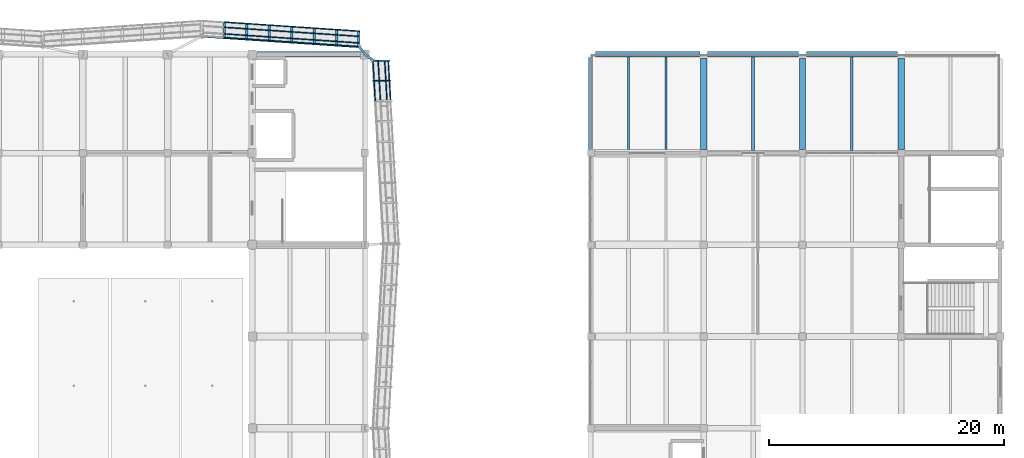
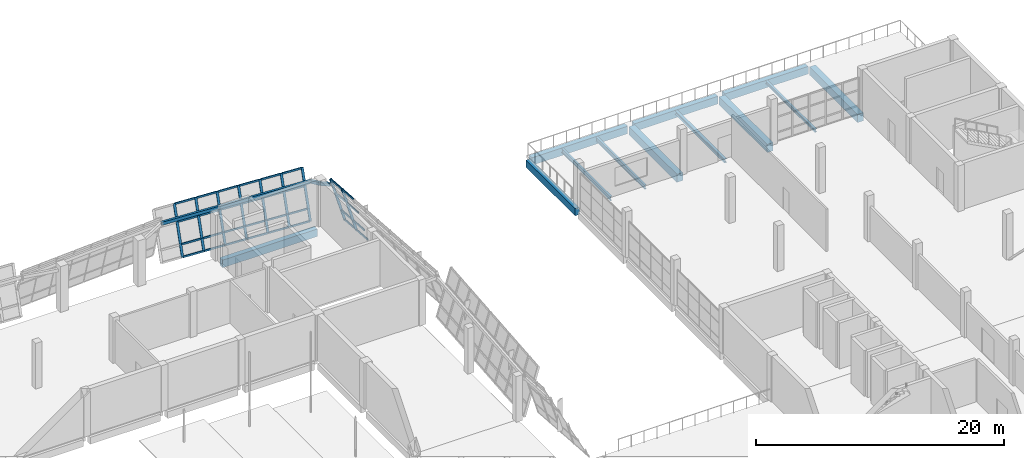
# One storey, part 36 of 71: 41 members, 15 beams, 2 elements without a shape of their own.
"""IFC4 building model written with IfcOpenShell, lengths in metres."""

from ifc_helpers import new_model, si_unit, direction, frame, origin, origin_2d, place, context, subcontext, project, spatial, rectangle, hollow_rectangle, i_section, extrude, material, material_profile, profile_set, type_object, element, aggregate, save


model = new_model("IFC4")

# Units and contexts
model_context = context("Model", 3, precision=1e-05, world=origin(), true_north=direction((0.0, 1.0)))
body_context = subcontext(model_context, "Body", "Model", "MODEL_VIEW")
ifc_project = project(units=[si_unit("LENGTHUNIT", "METRE"), si_unit("AREAUNIT", "SQUARE_METRE"), si_unit("VOLUMEUNIT", "CUBIC_METRE"), si_unit("PLANEANGLEUNIT", "RADIAN"), si_unit("MASSUNIT", "GRAM", prefix="KILO")], contexts=[model_context])

# Site, building, storey
site_placement = place(None, origin())
site = spatial("IfcSite", under=ifc_project, at=site_placement, CompositionType="ELEMENT")
building_placement = place(site_placement, origin())
building = spatial("IfcBuilding", under=site, at=building_placement, Name="Pellamere Symphony Hall", CompositionType="ELEMENT")
storey_placement = place(building_placement, frame((0.0, 0.0, 15.0)))
storey = spatial("IfcBuildingStorey", under=building, at=storey_placement, Name="L03", CompositionType="ELEMENT", Elevation=15.0)

# Curtain wall, members
ifc_material_1 = material(Name="Thermally Broken Anodised Aluminium 6063-T6 Curtain Wall", Category="aluminium")
curtain_wall_type = type_object("IfcCurtainWallType", Name="Curtain Wall CW-01 (Tilted Faceted Crystal Low-Iron Curtain Wall)", PredefinedType="NOTDEFINED", material=ifc_material_1)
curtain_wall_1_placement = place(storey_placement, origin())
curtain_wall_1 = element("IfcCurtainWall", 1, at=curtain_wall_1_placement, inside=storey, type_object=curtain_wall_type, Name="Crystal Faceted Curtain Wall CW-CR09 (L03)", PredefinedType="NOTDEFINED")
ifc_material_2 = material(Name="Anodised Architectural Aluminium 6063-T6", Category="aluminium")
ifc_material_profile_1 = material_profile(ifc_material_2, hollow_rectangle(XDim=0.074951171875, YDim=0.219970703125, WallThickness=0.0048828125, at=origin_2d()), Name="ALU-M75X220X5")
ifc_profile_set_1 = profile_set([ifc_material_profile_1], Name="Anodised Architectural Aluminium 6063-T6")
member_type_1 = type_object("IfcMemberType", Name="Curtain Wall Mullion ML-01 ALU-M75X220X5", PredefinedType="MULLION", material=ifc_profile_set_1)
member_1_placement = place(storey_placement, frame((120.883056640625, 91.36669921875, 0.0), z_axis=(-0.284024567884, 0.0, 0.95881700279), x_axis=(-0.055224537145, 0.998339941676, -0.01635883099)))
member_1 = element("IfcMember", 2, at=member_1_placement, type_object=member_type_1, Name="CW1-020 crystal mullion 9", PredefinedType="MULLION", context=body_context, shape_type="SweptSolid", body=[
    extrude(hollow_rectangle(XDim=0.074951171875, YDim=0.219970703125, WallThickness=0.0048828125, at=origin_2d()), origin(), (0.0, 0.0, 1.0), 4.693359375),
])
member_2_placement = place(storey_placement, frame((120.78515625, 93.0625, 0.0), z_axis=(-0.284024567884, 0.0, 0.95881700279), x_axis=(-0.055224537145, 0.998339941676, -0.01635883099)))
member_2 = element("IfcMember", 3, at=member_2_placement, type_object=member_type_1, Name="CW1-020 crystal mullion 10", PredefinedType="MULLION", context=body_context, shape_type="SweptSolid", body=[
    extrude(hollow_rectangle(XDim=0.074951171875, YDim=0.219970703125, WallThickness=0.0048828125, at=origin_2d()), origin(), (0.0, 0.0, 1.0), 4.693359375),
])

curtain_wall_2_placement = place(storey_placement, origin())
curtain_wall_2 = element("IfcCurtainWall", 4, at=curtain_wall_2_placement, inside=storey, type_object=curtain_wall_type, Name="Crystal Faceted Curtain Wall CW-CR10 (L03)", PredefinedType="NOTDEFINED")
member_3_placement = place(storey_placement, frame((118.2626953125, 94.25244140625, 0.0), z_axis=(0.0, 0.284024567884, 0.95881700279), x_axis=(0.067013200006, 0.956661667464, -0.283386105922)))
member_3 = element("IfcMember", 5, at=member_3_placement, type_object=member_type_1, Name="CW1-023 crystal mullion 1", PredefinedType="MULLION", context=body_context, shape_type="SweptSolid", body=[
    extrude(hollow_rectangle(XDim=0.074951171875, YDim=0.219970703125, WallThickness=0.0048828125, at=origin_2d()), origin(), (0.0, 0.0, 1.0), 4.693359375),
])
member_4_placement = place(storey_placement, frame((116.3857421875, 94.378662109375, 0.0), z_axis=(0.0, 0.284024567884, 0.95881700279), x_axis=(0.067013200006, 0.956661667464, -0.283386105922)))
member_4 = element("IfcMember", 6, at=member_4_placement, type_object=member_type_1, Name="CW1-023 crystal mullion 2", PredefinedType="MULLION", context=body_context, shape_type="SweptSolid", body=[
    extrude(hollow_rectangle(XDim=0.074951171875, YDim=0.219970703125, WallThickness=0.0048828125, at=origin_2d()), origin(), (0.0, 0.0, 1.0), 4.693359375),
])
member_5_placement = place(storey_placement, frame((114.471435546875, 94.507080078125, 0.0), z_axis=(0.0, 0.284024567884, 0.95881700279), x_axis=(0.067013200006, 0.956661667464, -0.283386105922)))
member_5 = element("IfcMember", 7, at=member_5_placement, type_object=member_type_1, Name="CW1-023 crystal mullion 3", PredefinedType="MULLION", context=body_context, shape_type="SweptSolid", body=[
    extrude(hollow_rectangle(XDim=0.074951171875, YDim=0.219970703125, WallThickness=0.0048828125, at=origin_2d()), origin(), (0.0, 0.0, 1.0), 4.693359375),
])
member_6_placement = place(storey_placement, frame((112.55712890625, 94.6357421875, 0.0), z_axis=(0.0, 0.284024567884, 0.95881700279), x_axis=(0.067013200006, 0.956661667464, -0.283386105922)))
member_6 = element("IfcMember", 8, at=member_6_placement, type_object=member_type_1, Name="CW1-023 crystal mullion 4", PredefinedType="MULLION", context=body_context, shape_type="SweptSolid", body=[
    extrude(hollow_rectangle(XDim=0.074951171875, YDim=0.219970703125, WallThickness=0.0048828125, at=origin_2d()), origin(), (0.0, 0.0, 1.0), 4.693359375),
])
member_7_placement = place(storey_placement, frame((110.642822265625, 94.764404296875, 0.0), z_axis=(0.0, 0.283976744055, 0.958831168056), x_axis=(0.067013200006, 0.956675800888, -0.283338389597)))
member_7 = element("IfcMember", 9, at=member_7_placement, type_object=member_type_1, Name="CW1-023 crystal mullion 5", PredefinedType="MULLION", context=body_context, shape_type="SweptSolid", body=[
    extrude(hollow_rectangle(XDim=0.074951171875, YDim=0.219970703125, WallThickness=0.0048828125, at=origin_2d()), origin(), (0.0, 0.0, 1.0), 4.693115234375),
])
member_8_placement = place(storey_placement, frame((108.728515625, 94.892822265625, 0.0), z_axis=(0.0, 0.284024567884, 0.95881700279), x_axis=(0.067013200006, 0.956661667464, -0.283386105922)))
member_8 = element("IfcMember", 10, at=member_8_placement, type_object=member_type_1, Name="CW1-023 crystal mullion 6", PredefinedType="MULLION", context=body_context, shape_type="SweptSolid", body=[
    extrude(hollow_rectangle(XDim=0.074951171875, YDim=0.219970703125, WallThickness=0.0048828125, at=origin_2d()), origin(), (0.0, 0.0, 1.0), 4.693359375),
])
member_9_placement = place(storey_placement, frame((106.814208984375, 95.021484375, 0.0), z_axis=(0.0, 0.284024567884, 0.95881700279), x_axis=(0.067013200006, 0.956661667464, -0.283386105922)))
member_9 = element("IfcMember", 11, at=member_9_placement, type_object=member_type_1, Name="CW1-023 crystal mullion 7", PredefinedType="MULLION", context=body_context, shape_type="SweptSolid", body=[
    extrude(hollow_rectangle(XDim=0.074951171875, YDim=0.219970703125, WallThickness=0.0048828125, at=origin_2d()), origin(), (0.0, 0.0, 1.0), 4.693359375),
])

# Member
ifc_material_profile_2 = material_profile(ifc_material_2, hollow_rectangle(XDim=0.074951171875, YDim=0.179931640625, WallThickness=0.0048828125, at=origin_2d()), Name="ALU-T75X180X5")
ifc_profile_set_2 = profile_set([ifc_material_profile_2], Name="Anodised Architectural Aluminium 6063-T6")
member_type_2 = type_object("IfcMemberType", Name="Curtain Wall Transom TR-01 ALU-T75X180X5", PredefinedType="USERDEFINED", material=ifc_profile_set_2)
member_10_placement = place(storey_placement, frame((120.97021484375, 89.670654296875, 0.035888671875), z_axis=(-0.057602168051, 0.998339616682, 0.0), x_axis=(-0.998339616682, -0.057602168051, 0.0)))
member_10 = element("IfcMember", 12, at=member_10_placement, type_object=member_type_2, Name="CW1-020 crystal transom 8.1", ObjectType="TRANSOM", PredefinedType="USERDEFINED", context=body_context, shape_type="SweptSolid", body=[
    extrude(hollow_rectangle(XDim=0.074951171875, YDim=0.179931640625, WallThickness=0.0048828125, at=origin_2d()), origin(), (0.0, 0.0, 1.0), 1.661376953125),
])

member_11_placement = place(storey_placement, frame((120.660888671875, 89.670654296875, 1.080078125), z_axis=(-0.057602168051, 0.998339616682, 0.0), x_axis=(-0.998339616682, -0.057602168051, 0.0)))
member_11 = element("IfcMember", 13, at=member_11_placement, type_object=member_type_2, Name="CW1-020 crystal transom 8.2", ObjectType="TRANSOM", PredefinedType="USERDEFINED", context=body_context, shape_type="SweptSolid", body=[
    extrude(hollow_rectangle(XDim=0.074951171875, YDim=0.179931640625, WallThickness=0.0048828125, at=origin_2d()), origin(), (0.0, 0.0, 1.0), 1.661376953125),
])

member_12_placement = place(storey_placement, frame((120.10107421875, 89.670654296875, 2.969970703125), z_axis=(-0.057602168051, 0.998339616682, 0.0), x_axis=(-0.998339616682, -0.057602168051, 0.0)))
member_12 = element("IfcMember", 14, at=member_12_placement, type_object=member_type_2, Name="CW1-020 crystal transom 8.3", ObjectType="TRANSOM", PredefinedType="USERDEFINED", context=body_context, shape_type="SweptSolid", body=[
    extrude(hollow_rectangle(XDim=0.074951171875, YDim=0.179931640625, WallThickness=0.0048828125, at=origin_2d()), origin(), (0.0, 0.0, 1.0), 1.661376953125),
])

member_13_placement = place(storey_placement, frame((119.658447265625, 89.670654296875, 4.464111328125), z_axis=(-0.057602168051, 0.998339616682, 0.0), x_axis=(-0.998339616682, -0.057602168051, 0.0)))
member_13 = element("IfcMember", 15, at=member_13_placement, type_object=member_type_2, Name="CW1-020 crystal transom 8.4", ObjectType="TRANSOM", PredefinedType="USERDEFINED", context=body_context, shape_type="SweptSolid", body=[
    extrude(hollow_rectangle(XDim=0.074951171875, YDim=0.179931640625, WallThickness=0.0048828125, at=origin_2d()), origin(), (0.0, 0.0, 1.0), 1.661376953125),
])

member_14_placement = place(storey_placement, frame((120.8701171875, 91.404052734375, 0.035888671875), z_axis=(-0.057585007883, 0.99834060664, 0.0), x_axis=(-0.99834060664, -0.057585007883, 0.0)))
member_14 = element("IfcMember", 16, at=member_14_placement, type_object=member_type_2, Name="CW1-020 crystal transom 9.1", ObjectType="TRANSOM", PredefinedType="USERDEFINED", context=body_context, shape_type="SweptSolid", body=[
    extrude(hollow_rectangle(XDim=0.074951171875, YDim=0.179931640625, WallThickness=0.0048828125, at=origin_2d()), origin(), (0.0, 0.0, 1.0), 1.623779296875),
])

member_15_placement = place(storey_placement, frame((120.56103515625, 91.404052734375, 1.080078125), z_axis=(-0.057734859862, 0.998331951786, 0.0), x_axis=(-0.998331951786, -0.057734859862, 0.0)))
member_15 = element("IfcMember", 17, at=member_15_placement, type_object=member_type_2, Name="CW1-020 crystal transom 9.2", ObjectType="TRANSOM", PredefinedType="USERDEFINED", context=body_context, shape_type="SweptSolid", body=[
    extrude(hollow_rectangle(XDim=0.074951171875, YDim=0.179931640625, WallThickness=0.0048828125, at=origin_2d()), origin(), (0.0, 0.0, 1.0), 1.623779296875),
])

member_16_placement = place(storey_placement, frame((120.0009765625, 91.404052734375, 2.969970703125), z_axis=(-0.057585007883, 0.99834060664, 0.0), x_axis=(-0.99834060664, -0.057585007883, 0.0)))
member_16 = element("IfcMember", 18, at=member_16_placement, type_object=member_type_2, Name="CW1-020 crystal transom 9.3", ObjectType="TRANSOM", PredefinedType="USERDEFINED", context=body_context, shape_type="SweptSolid", body=[
    extrude(hollow_rectangle(XDim=0.074951171875, YDim=0.179931640625, WallThickness=0.0048828125, at=origin_2d()), origin(), (0.0, 0.0, 1.0), 1.623779296875),
])

member_17_placement = place(storey_placement, frame((119.55859375, 91.404052734375, 4.464111328125), z_axis=(-0.057585007883, 0.99834060664, 0.0), x_axis=(-0.99834060664, -0.057585007883, 0.0)))
member_17 = element("IfcMember", 19, at=member_17_placement, type_object=member_type_2, Name="CW1-020 crystal transom 9.4", ObjectType="TRANSOM", PredefinedType="USERDEFINED", context=body_context, shape_type="SweptSolid", body=[
    extrude(hollow_rectangle(XDim=0.074951171875, YDim=0.179931640625, WallThickness=0.0048828125, at=origin_2d()), origin(), (0.0, 0.0, 1.0), 1.623779296875),
])

aggregate(curtain_wall_1, [member_1, member_2, member_10, member_11, member_12, member_13, member_14, member_15, member_16, member_17])

member_18_placement = place(storey_placement, frame((118.22509765625, 94.265625, 0.035888671875), z_axis=(-0.997749727577, 0.067048349123, 0.0), x_axis=(-0.067048349123, -0.997749727577, 0.0)))
member_18 = element("IfcMember", 20, at=member_18_placement, type_object=member_type_2, Name="CW1-023 crystal transom 1.1", ObjectType="TRANSOM", PredefinedType="USERDEFINED", context=body_context, shape_type="SweptSolid", body=[
    extrude(hollow_rectangle(XDim=0.074951171875, YDim=0.179931640625, WallThickness=0.0048828125, at=origin_2d()), origin(), (0.0, 0.0, 1.0), 1.80615234375),
])

member_19_placement = place(storey_placement, frame((118.22509765625, 94.574951171875, 1.080078125), z_axis=(-0.997749727577, 0.067048349123, 0.0), x_axis=(-0.067048349123, -0.997749727577, 0.0)))
member_19 = element("IfcMember", 21, at=member_19_placement, type_object=member_type_2, Name="CW1-023 crystal transom 1.2", ObjectType="TRANSOM", PredefinedType="USERDEFINED", context=body_context, shape_type="SweptSolid", body=[
    extrude(hollow_rectangle(XDim=0.074951171875, YDim=0.179931640625, WallThickness=0.0048828125, at=origin_2d()), origin(), (0.0, 0.0, 1.0), 1.80615234375),
])

member_20_placement = place(storey_placement, frame((118.22509765625, 95.134765625, 2.969970703125), z_axis=(-0.997749727577, 0.067048349123, 0.0), x_axis=(-0.067048349123, -0.997749727577, 0.0)))
member_20 = element("IfcMember", 22, at=member_20_placement, type_object=member_type_2, Name="CW1-023 crystal transom 1.3", ObjectType="TRANSOM", PredefinedType="USERDEFINED", context=body_context, shape_type="SweptSolid", body=[
    extrude(hollow_rectangle(XDim=0.074951171875, YDim=0.179931640625, WallThickness=0.0048828125, at=origin_2d()), origin(), (0.0, 0.0, 1.0), 1.80615234375),
])

member_21_placement = place(storey_placement, frame((118.22509765625, 95.577392578125, 4.464111328125), z_axis=(-0.997749727577, 0.067048349123, 0.0), x_axis=(-0.067048349123, -0.997749727577, 0.0)))
member_21 = element("IfcMember", 23, at=member_21_placement, type_object=member_type_2, Name="CW1-023 crystal transom 1.4", ObjectType="TRANSOM", PredefinedType="USERDEFINED", context=body_context, shape_type="SweptSolid", body=[
    extrude(hollow_rectangle(XDim=0.074951171875, YDim=0.179931640625, WallThickness=0.0048828125, at=origin_2d()), origin(), (0.0, 0.0, 1.0), 1.80615234375),
])

member_22_placement = place(storey_placement, frame((116.348388671875, 94.391845703125, 0.035888671875), z_axis=(-0.997752815695, 0.067002378864, 0.0), x_axis=(-0.067002378864, -0.997752815695, 0.0)))
member_22 = element("IfcMember", 24, at=member_22_placement, type_object=member_type_2, Name="CW1-023 crystal transom 2.1", ObjectType="TRANSOM", PredefinedType="USERDEFINED", context=body_context, shape_type="SweptSolid", body=[
    extrude(hollow_rectangle(XDim=0.074951171875, YDim=0.179931640625, WallThickness=0.0048828125, at=origin_2d()), origin(), (0.0, 0.0, 1.0), 1.84375),
])

member_23_placement = place(storey_placement, frame((116.348388671875, 94.700927734375, 1.080078125), z_axis=(-0.997752815695, 0.067002378864, 0.0), x_axis=(-0.067002378864, -0.997752815695, 0.0)))
member_23 = element("IfcMember", 25, at=member_23_placement, type_object=member_type_2, Name="CW1-023 crystal transom 2.2", ObjectType="TRANSOM", PredefinedType="USERDEFINED", context=body_context, shape_type="SweptSolid", body=[
    extrude(hollow_rectangle(XDim=0.074951171875, YDim=0.179931640625, WallThickness=0.0048828125, at=origin_2d()), origin(), (0.0, 0.0, 1.0), 1.84375),
])

member_24_placement = place(storey_placement, frame((116.348388671875, 95.260986328125, 2.969970703125), z_axis=(-0.997752815695, 0.067002378864, 0.0), x_axis=(-0.067002378864, -0.997752815695, 0.0)))
member_24 = element("IfcMember", 26, at=member_24_placement, type_object=member_type_2, Name="CW1-023 crystal transom 2.3", ObjectType="TRANSOM", PredefinedType="USERDEFINED", context=body_context, shape_type="SweptSolid", body=[
    extrude(hollow_rectangle(XDim=0.074951171875, YDim=0.179931640625, WallThickness=0.0048828125, at=origin_2d()), origin(), (0.0, 0.0, 1.0), 1.84375),
])

member_25_placement = place(storey_placement, frame((116.348388671875, 95.703369140625, 4.464111328125), z_axis=(-0.997752815695, 0.067002378864, 0.0), x_axis=(-0.067002378864, -0.997752815695, 0.0)))
member_25 = element("IfcMember", 27, at=member_25_placement, type_object=member_type_2, Name="CW1-023 crystal transom 2.4", ObjectType="TRANSOM", PredefinedType="USERDEFINED", context=body_context, shape_type="SweptSolid", body=[
    extrude(hollow_rectangle(XDim=0.074951171875, YDim=0.179931640625, WallThickness=0.0048828125, at=origin_2d()), origin(), (0.0, 0.0, 1.0), 1.84375),
])

member_26_placement = place(storey_placement, frame((114.43408203125, 94.520263671875, 0.035888671875), z_axis=(-0.997752815695, 0.067002378864, 0.0), x_axis=(-0.067002378864, -0.997752815695, 0.0)))
member_26 = element("IfcMember", 28, at=member_26_placement, type_object=member_type_2, Name="CW1-023 crystal transom 3.1", ObjectType="TRANSOM", PredefinedType="USERDEFINED", context=body_context, shape_type="SweptSolid", body=[
    extrude(hollow_rectangle(XDim=0.074951171875, YDim=0.179931640625, WallThickness=0.0048828125, at=origin_2d()), origin(), (0.0, 0.0, 1.0), 1.84375),
])

member_27_placement = place(storey_placement, frame((114.43408203125, 94.82958984375, 1.080078125), z_axis=(-0.997752815695, 0.067002378864, 0.0), x_axis=(-0.067002378864, -0.997752815695, 0.0)))
member_27 = element("IfcMember", 29, at=member_27_placement, type_object=member_type_2, Name="CW1-023 crystal transom 3.2", ObjectType="TRANSOM", PredefinedType="USERDEFINED", context=body_context, shape_type="SweptSolid", body=[
    extrude(hollow_rectangle(XDim=0.074951171875, YDim=0.179931640625, WallThickness=0.0048828125, at=origin_2d()), origin(), (0.0, 0.0, 1.0), 1.84375),
])

member_28_placement = place(storey_placement, frame((114.43408203125, 95.389404296875, 2.969970703125), z_axis=(-0.997752815695, 0.067002378864, 0.0), x_axis=(-0.067002378864, -0.997752815695, 0.0)))
member_28 = element("IfcMember", 30, at=member_28_placement, type_object=member_type_2, Name="CW1-023 crystal transom 3.3", ObjectType="TRANSOM", PredefinedType="USERDEFINED", context=body_context, shape_type="SweptSolid", body=[
    extrude(hollow_rectangle(XDim=0.074951171875, YDim=0.179931640625, WallThickness=0.0048828125, at=origin_2d()), origin(), (0.0, 0.0, 1.0), 1.84375),
])

member_29_placement = place(storey_placement, frame((114.43408203125, 95.83203125, 4.464111328125), z_axis=(-0.997752815695, 0.067002378864, 0.0), x_axis=(-0.067002378864, -0.997752815695, 0.0)))
member_29 = element("IfcMember", 31, at=member_29_placement, type_object=member_type_2, Name="CW1-023 crystal transom 3.4", ObjectType="TRANSOM", PredefinedType="USERDEFINED", context=body_context, shape_type="SweptSolid", body=[
    extrude(hollow_rectangle(XDim=0.074951171875, YDim=0.179931640625, WallThickness=0.0048828125, at=origin_2d()), origin(), (0.0, 0.0, 1.0), 1.84375),
])

member_30_placement = place(storey_placement, frame((112.519775390625, 94.64892578125, 0.035888671875), z_axis=(-0.997752815695, 0.067002378864, 0.0), x_axis=(-0.067002378864, -0.997752815695, 0.0)))
member_30 = element("IfcMember", 32, at=member_30_placement, type_object=member_type_2, Name="CW1-023 crystal transom 4.1", ObjectType="TRANSOM", PredefinedType="USERDEFINED", context=body_context, shape_type="SweptSolid", body=[
    extrude(hollow_rectangle(XDim=0.074951171875, YDim=0.179931640625, WallThickness=0.0048828125, at=origin_2d()), origin(), (0.0, 0.0, 1.0), 1.84375),
])

member_31_placement = place(storey_placement, frame((112.519775390625, 94.958251953125, 1.080078125), z_axis=(-0.997752815695, 0.067002378864, 0.0), x_axis=(-0.067002378864, -0.997752815695, 0.0)))
member_31 = element("IfcMember", 33, at=member_31_placement, type_object=member_type_2, Name="CW1-023 crystal transom 4.2", ObjectType="TRANSOM", PredefinedType="USERDEFINED", context=body_context, shape_type="SweptSolid", body=[
    extrude(hollow_rectangle(XDim=0.074951171875, YDim=0.179931640625, WallThickness=0.0048828125, at=origin_2d()), origin(), (0.0, 0.0, 1.0), 1.84375),
])

member_32_placement = place(storey_placement, frame((112.519775390625, 95.51806640625, 2.969970703125), z_axis=(-0.997752815695, 0.067002378864, 0.0), x_axis=(-0.067002378864, -0.997752815695, 0.0)))
member_32 = element("IfcMember", 34, at=member_32_placement, type_object=member_type_2, Name="CW1-023 crystal transom 4.3", ObjectType="TRANSOM", PredefinedType="USERDEFINED", context=body_context, shape_type="SweptSolid", body=[
    extrude(hollow_rectangle(XDim=0.074951171875, YDim=0.179931640625, WallThickness=0.0048828125, at=origin_2d()), origin(), (0.0, 0.0, 1.0), 1.84375),
])

member_33_placement = place(storey_placement, frame((112.519775390625, 95.960693359375, 4.464111328125), z_axis=(-0.997752815695, 0.067002378864, 0.0), x_axis=(-0.067002378864, -0.997752815695, 0.0)))
member_33 = element("IfcMember", 35, at=member_33_placement, type_object=member_type_2, Name="CW1-023 crystal transom 4.4", ObjectType="TRANSOM", PredefinedType="USERDEFINED", context=body_context, shape_type="SweptSolid", body=[
    extrude(hollow_rectangle(XDim=0.074951171875, YDim=0.179931640625, WallThickness=0.0048828125, at=origin_2d()), origin(), (0.0, 0.0, 1.0), 1.84375),
])

member_34_placement = place(storey_placement, frame((110.60546875, 94.77734375, 0.035888671875), z_axis=(-0.997752815695, 0.067002378864, 0.0), x_axis=(-0.067002378864, -0.997752815695, 0.0)))
member_34 = element("IfcMember", 36, at=member_34_placement, type_object=member_type_2, Name="CW1-023 crystal transom 5.1", ObjectType="TRANSOM", PredefinedType="USERDEFINED", context=body_context, shape_type="SweptSolid", body=[
    extrude(hollow_rectangle(XDim=0.074951171875, YDim=0.179931640625, WallThickness=0.0048828125, at=origin_2d()), origin(), (0.0, 0.0, 1.0), 1.84375),
])

member_35_placement = place(storey_placement, frame((110.60546875, 95.086669921875, 1.080078125), z_axis=(-0.997752815695, 0.067002378864, 0.0), x_axis=(-0.067002378864, -0.997752815695, 0.0)))
member_35 = element("IfcMember", 37, at=member_35_placement, type_object=member_type_2, Name="CW1-023 crystal transom 5.2", ObjectType="TRANSOM", PredefinedType="USERDEFINED", context=body_context, shape_type="SweptSolid", body=[
    extrude(hollow_rectangle(XDim=0.074951171875, YDim=0.179931640625, WallThickness=0.0048828125, at=origin_2d()), origin(), (0.0, 0.0, 1.0), 1.84375),
])

member_36_placement = place(storey_placement, frame((110.60546875, 95.646484375, 2.969970703125), z_axis=(-0.997752815695, 0.067002378864, 0.0), x_axis=(-0.067002378864, -0.997752815695, 0.0)))
member_36 = element("IfcMember", 38, at=member_36_placement, type_object=member_type_2, Name="CW1-023 crystal transom 5.3", ObjectType="TRANSOM", PredefinedType="USERDEFINED", context=body_context, shape_type="SweptSolid", body=[
    extrude(hollow_rectangle(XDim=0.074951171875, YDim=0.179931640625, WallThickness=0.0048828125, at=origin_2d()), origin(), (0.0, 0.0, 1.0), 1.84375),
])

member_37_placement = place(storey_placement, frame((110.60546875, 96.089111328125, 4.464111328125), z_axis=(-0.997752815695, 0.067002378864, 0.0), x_axis=(-0.067002378864, -0.997752815695, 0.0)))
member_37 = element("IfcMember", 39, at=member_37_placement, type_object=member_type_2, Name="CW1-023 crystal transom 5.4", ObjectType="TRANSOM", PredefinedType="USERDEFINED", context=body_context, shape_type="SweptSolid", body=[
    extrude(hollow_rectangle(XDim=0.074951171875, YDim=0.179931640625, WallThickness=0.0048828125, at=origin_2d()), origin(), (0.0, 0.0, 1.0), 1.84375),
])

member_38_placement = place(storey_placement, frame((108.691162109375, 94.906005859375, 0.035888671875), z_axis=(-0.99775222112, 0.067011232265, 0.0), x_axis=(-0.067011232265, -0.99775222112, 0.0)))
member_38 = element("IfcMember", 40, at=member_38_placement, type_object=member_type_2, Name="CW1-023 crystal transom 6.1", ObjectType="TRANSOM", PredefinedType="USERDEFINED", context=body_context, shape_type="SweptSolid", body=[
    extrude(hollow_rectangle(XDim=0.074951171875, YDim=0.179931640625, WallThickness=0.0048828125, at=origin_2d()), origin(), (0.0, 0.0, 1.0), 1.843505859375),
])

member_39_placement = place(storey_placement, frame((108.691162109375, 95.21533203125, 1.080078125), z_axis=(-0.99775222112, 0.067011232265, 0.0), x_axis=(-0.067011232265, -0.99775222112, 0.0)))
member_39 = element("IfcMember", 41, at=member_39_placement, type_object=member_type_2, Name="CW1-023 crystal transom 6.2", ObjectType="TRANSOM", PredefinedType="USERDEFINED", context=body_context, shape_type="SweptSolid", body=[
    extrude(hollow_rectangle(XDim=0.074951171875, YDim=0.179931640625, WallThickness=0.0048828125, at=origin_2d()), origin(), (0.0, 0.0, 1.0), 1.843505859375),
])

member_40_placement = place(storey_placement, frame((108.691162109375, 95.775146484375, 2.969970703125), z_axis=(-0.99775222112, 0.067011232265, 0.0), x_axis=(-0.067011232265, -0.99775222112, 0.0)))
member_40 = element("IfcMember", 42, at=member_40_placement, type_object=member_type_2, Name="CW1-023 crystal transom 6.3", ObjectType="TRANSOM", PredefinedType="USERDEFINED", context=body_context, shape_type="SweptSolid", body=[
    extrude(hollow_rectangle(XDim=0.074951171875, YDim=0.179931640625, WallThickness=0.0048828125, at=origin_2d()), origin(), (0.0, 0.0, 1.0), 1.843505859375),
])

member_41_placement = place(storey_placement, frame((108.691162109375, 96.2177734375, 4.464111328125), z_axis=(-0.99775222112, 0.067011232265, 0.0), x_axis=(-0.067011232265, -0.99775222112, 0.0)))
member_41 = element("IfcMember", 43, at=member_41_placement, type_object=member_type_2, Name="CW1-023 crystal transom 6.4", ObjectType="TRANSOM", PredefinedType="USERDEFINED", context=body_context, shape_type="SweptSolid", body=[
    extrude(hollow_rectangle(XDim=0.074951171875, YDim=0.179931640625, WallThickness=0.0048828125, at=origin_2d()), origin(), (0.0, 0.0, 1.0), 1.843505859375),
])

aggregate(curtain_wall_2, [member_3, member_4, member_5, member_6, member_7, member_8, member_9, member_18, member_19, member_20, member_21, member_22, member_23, member_24, member_25, member_26, member_27, member_28, member_29, member_30, member_31, member_32, member_33, member_34, member_35, member_36, member_37, member_38, member_39, member_40, member_41])

# Beams
ifc_material_3 = material(Name="Concrete 40 MPa", Category="concrete")
ifc_material_profile_3 = material_profile(ifc_material_3, rectangle(XDim=0.550048828125, YDim=0.800048828125, at=origin_2d()), Name="RC 550x800")
ifc_profile_set_3 = profile_set([ifc_material_profile_3], Name="Concrete 40 MPa")
beam_type_1 = type_object("IfcBeamType", Name="RC CB-05 550x800", PredefinedType="BEAM", material=ifc_profile_set_3)
for number, where, z_axis, x_axis, name in (
    (44, (147.60009765625, 85.52490234375, -0.659912109375), (0.0, 1.0, 0.0), (-1.0, 0.0, 0.0), "Girder CB-05-Y1687 (L03)"),
    (45, (156.0, 85.52490234375, -0.659912109375), (0.0, 1.0, 0.0), (-1.0, 0.0, 0.0), "Girder CB-05-Y1696 (L03)"),
    (46, (164.39990234375, 85.52490234375, -0.659912109375), (0.0, 1.0, 0.0), (-1.0, 0.0, 0.0), "Girder CB-05-Y1705 (L03)"),
):
    element("IfcBeam", number, at=place(storey_placement, frame(where, z_axis=z_axis, x_axis=x_axis)), inside=storey, type_object=beam_type_1, Name=name, PredefinedType="BEAM", context=body_context, shape_type="SweptSolid", body=[
        extrude(rectangle(XDim=0.550048828125, YDim=0.800048828125, at=origin_2d()), origin(), (0.0, 0.0, 1.0), 7.75),
    ])
ifc_material_profile_4 = material_profile(ifc_material_3, rectangle(XDim=0.449951171875, YDim=0.75, at=origin_2d()), Name="RC 450x750")
ifc_profile_set_4 = profile_set([ifc_material_profile_4], Name="Concrete 40 MPa")
beam_type_2 = type_object("IfcBeamType", Name="RC CB-12 450x750", PredefinedType="SPANDREL", material=ifc_profile_set_4)
beam_1_placement = place(storey_placement, frame((109.60009765625, 93.60009765625, -0.635009765625), z_axis=(1.0, 0.0, 0.0), x_axis=(0.0, 1.0, 0.0)))
element("IfcBeam", 47, at=beam_1_placement, inside=storey, type_object=beam_type_2, Name="Girder CB-12-X1601 (L03)", PredefinedType="SPANDREL", context=body_context, shape_type="SweptSolid", body=[
    extrude(rectangle(XDim=0.449951171875, YDim=0.75, at=origin_2d()), origin(), (0.0, 0.0, 1.0), 8.7998046875),
])
beam_2_placement = place(storey_placement, frame((138.375, 93.60009765625, -0.635009765625), z_axis=(1.0, 0.0, 0.0), x_axis=(0.0, 1.0, 0.0)))
element("IfcBeam", 48, at=beam_2_placement, inside=storey, type_object=beam_type_2, Name="Girder CB-12-X1602 (L03)", PredefinedType="SPANDREL", context=body_context, shape_type="SweptSolid", body=[
    extrude(rectangle(XDim=0.449951171875, YDim=0.75, at=origin_2d()), origin(), (0.0, 0.0, 1.0), 8.89990234375),
])
for number, where, z_axis, x_axis, name in (
    (49, (147.925048828125, 93.60009765625, -0.635009765625), (1.0, 0.0, 0.0), (0.0, 1.0, 0.0), "Girder CB-12-X1603 (L03)"),
    (50, (156.324951171875, 93.60009765625, -0.635009765625), (1.0, 0.0, 0.0), (0.0, 1.0, 0.0), "Girder CB-12-X1604 (L03)"),
):
    element("IfcBeam", number, at=place(storey_placement, frame(where, z_axis=z_axis, x_axis=x_axis)), inside=storey, type_object=beam_type_2, Name=name, PredefinedType="SPANDREL", context=body_context, shape_type="SweptSolid", body=[
        extrude(rectangle(XDim=0.449951171875, YDim=0.75, at=origin_2d()), origin(), (0.0, 0.0, 1.0), 7.75),
    ])
ifc_material_profile_5 = material_profile(ifc_material_3, rectangle(XDim=0.39990234375, YDim=0.699951171875, at=origin_2d()), Name="RC 400x700")
ifc_profile_set_5 = profile_set([ifc_material_profile_5], Name="Concrete 40 MPa")
beam_type_3 = type_object("IfcBeamType", Name="RC CB-13 400x700", PredefinedType="SPANDREL", material=ifc_profile_set_5)
beam_3_placement = place(storey_placement, frame((138.0, 85.449951171875, -0.610107421875), z_axis=(0.0, 1.0, 0.0), x_axis=(-1.0, 0.0, 0.0)))
element("IfcBeam", 51, at=beam_3_placement, inside=storey, type_object=beam_type_3, Name="Girder CB-13-Y1678 (L03)", PredefinedType="SPANDREL", context=body_context, shape_type="SweptSolid", body=[
    extrude(rectangle(XDim=0.39990234375, YDim=0.699951171875, at=origin_2d()), origin(), (0.0, 0.0, 1.0), 7.900146484375),
])
ifc_material_4 = material(Name="Steel CSA G40.21 350W", Category="steel")
ifc_material_profile_6 = material_profile(ifc_material_4, i_section(OverallWidth=0.179931640625, OverallDepth=0.4130859375, WebThickness=0.009765625, FlangeThickness=0.01513671875, at=origin_2d()), Name="W410X74")
ifc_profile_set_6 = profile_set([ifc_material_profile_6], Name="Steel CSA G40.21 350W")
beam_type_4 = type_object("IfcBeamType", Name="Steel Joist SB-19 W410X74", PredefinedType="JOIST", material=ifc_profile_set_6)
for number, where, z_axis, x_axis, name in (
    (52, (141.199951171875, 85.510009765625, -0.4814453125), (0.0, 1.0, 0.0), (-1.0, 0.0, 0.0), "Secondary Floor Beam SB-19-A1711 (L03)"),
    (53, (144.39990234375, 85.510009765625, -0.4814453125), (0.0, 1.0, 0.0), (-1.0, 0.0, 0.0), "Secondary Floor Beam SB-19-B1711 (L03)"),
):
    element("IfcBeam", number, at=place(storey_placement, frame(where, z_axis=z_axis, x_axis=x_axis)), inside=storey, type_object=beam_type_4, Name=name, PredefinedType="JOIST", context=body_context, shape_type="SweptSolid", body=[
        extrude(i_section(OverallWidth=0.179931640625, OverallDepth=0.4130859375, WebThickness=0.009765625, FlangeThickness=0.01513671875, at=origin_2d()), origin(), (0.0, 0.0, 1.0), 7.864990234375),
    ])
ifc_material_profile_7 = material_profile(ifc_material_4, i_section(OverallWidth=0.25390625, OverallDepth=0.35302734375, WebThickness=0.009521484375, FlangeThickness=0.016357421875, at=origin_2d()), Name="W360X91")
ifc_profile_set_7 = profile_set([ifc_material_profile_7], Name="Steel CSA G40.21 350W")
beam_type_5 = type_object("IfcBeamType", Name="Steel Joist SB-20 W360X91", PredefinedType="JOIST", material=ifc_profile_set_7)
beam_4_placement = place(storey_placement, frame((151.800048828125, 85.43994140625, -0.451416015625), z_axis=(0.0, 1.0, 0.0), x_axis=(-1.0, 0.0, 0.0)))
element("IfcBeam", 54, at=beam_4_placement, inside=storey, type_object=beam_type_5, Name="Secondary Floor Beam SB-20-M1811 (L03)", PredefinedType="JOIST", context=body_context, shape_type="SweptSolid", body=[
    extrude(i_section(OverallWidth=0.25390625, OverallDepth=0.35302734375, WebThickness=0.009521484375, FlangeThickness=0.016357421875, at=origin_2d()), origin(), (0.0, 0.0, 1.0), 7.93505859375),
])
ifc_material_profile_8 = material_profile(ifc_material_4, i_section(OverallWidth=0.202880859375, OverallDepth=0.302978515625, WebThickness=0.007568359375, FlangeThickness=0.01318359375, at=origin_2d()), Name="W310X60")
ifc_profile_set_8 = profile_set([ifc_material_profile_8], Name="Steel CSA G40.21 350W")
beam_type_6 = type_object("IfcBeamType", Name="Steel Joist SB-23 W310X60", PredefinedType="JOIST", material=ifc_profile_set_8)
beam_5_placement = place(storey_placement, frame((160.199951171875, 85.43994140625, -0.426513671875), z_axis=(0.0, 1.0, 0.0), x_axis=(-1.0, 0.0, 0.0)))
element("IfcBeam", 55, at=beam_5_placement, inside=storey, type_object=beam_type_6, Name="Secondary Floor Beam SB-23-M1911 (L03)", PredefinedType="JOIST", context=body_context, shape_type="SweptSolid", body=[
    extrude(i_section(OverallWidth=0.202880859375, OverallDepth=0.302978515625, WebThickness=0.007568359375, FlangeThickness=0.01318359375, at=origin_2d()), origin(), (0.0, 0.0, 1.0), 7.93505859375),
])
ifc_material_profile_9 = material_profile(ifc_material_4, hollow_rectangle(XDim=0.203125, YDim=0.3046875, WallThickness=0.0126953125, at=origin_2d()), Name="HSS305X203X13")
ifc_profile_set_9 = profile_set([ifc_material_profile_9], Name="Steel CSA G40.21 350W")
beam_type_7 = type_object("IfcBeamType", Name="Steel Spandrel SB-26 HSS305X203X13", PredefinedType="SPANDREL", material=ifc_profile_set_9)
beam_6_placement = place(storey_placement, frame((118.800048828125, 93.60009765625, 3.93994140625), z_axis=(0.792579713642, -0.609768314627, 0.0), x_axis=(0.609768314627, 0.792579713642, 0.0)))
element("IfcBeam", 56, at=beam_6_placement, inside=storey, type_object=beam_type_7, Name="Crystal Ring Outrigger Bracket 045 (L03)", PredefinedType="SPANDREL", context=body_context, shape_type="SweptSolid", body=[
    extrude(hollow_rectangle(XDim=0.203125, YDim=0.3046875, WallThickness=0.0126953125, at=origin_2d()), origin(), (0.0, 0.0, 1.0), 0.820068359375),
])
beam_7_placement = place(storey_placement, frame((118.300048828125, 94.25, 3.93994140625), z_axis=(-0.997752624089, 0.067005232066, 0.0), x_axis=(-0.067005232066, -0.997752624089, 0.0)))
element("IfcBeam", 57, at=beam_7_placement, inside=storey, type_object=beam_type_7, Name="Crystal Perimeter Ring Beam CW-CR10 (L03)", PredefinedType="SPANDREL", context=body_context, shape_type="SweptSolid", body=[
    extrude(hollow_rectangle(XDim=0.203125, YDim=0.3046875, WallThickness=0.0126953125, at=origin_2d()), origin(), (0.0, 0.0, 1.0), 13.430419921875),
])
beam_8_placement = place(storey_placement, frame((118.800048828125, 93.60009765625, 3.93994140625), z_axis=(-0.609768314627, 0.792579713642, 0.0), x_axis=(-0.792579713642, -0.609768314627, 0.0)))
element("IfcBeam", 58, at=beam_8_placement, inside=storey, type_object=beam_type_7, Name="Crystal Ring Outrigger Bracket 052 (L03)", PredefinedType="SPANDREL", context=body_context, shape_type="SweptSolid", body=[
    extrude(hollow_rectangle(XDim=0.203125, YDim=0.3046875, WallThickness=0.0126953125, at=origin_2d()), origin(), (0.0, 0.0, 1.0), 0.820068359375),
])

save(model, "model.ifc")
